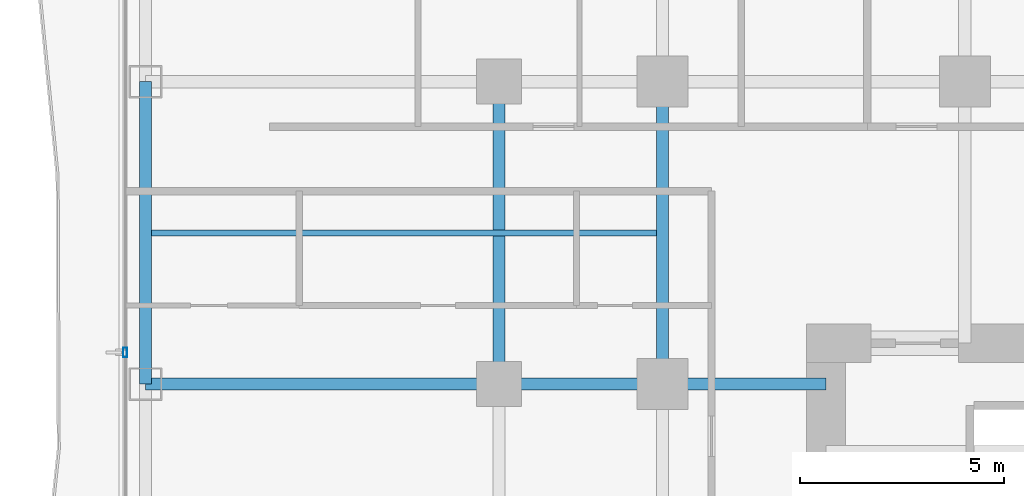
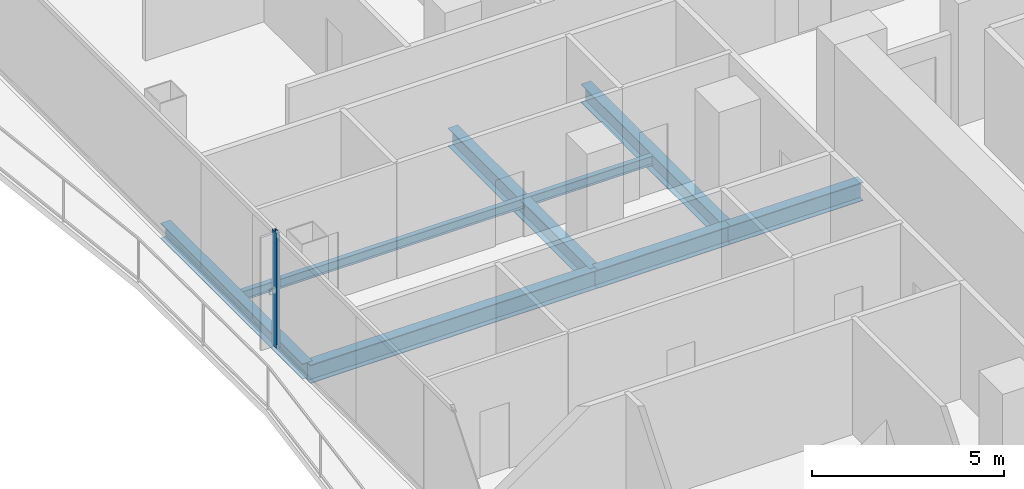
# One storey, part 6 of 28: 7 beams, 1 member, 1 element without a shape of its own.
"""IFC4 building model written with IfcOpenShell, lengths in metres."""

from ifc_helpers import new_model, si_unit, direction, frame, origin, origin_2d, place, context, subcontext, project, spatial, hollow_rectangle, i_section, extrude, material, layer, layer_set, material_profile, profile_set, type_object, element, aggregate, save


model = new_model("IFC4")

# Units and contexts
model_context = context("Model", 3, precision=1e-05, world=origin(), true_north=direction((0.0, 1.0)))
body_context = subcontext(model_context, "Body", "Model", "MODEL_VIEW")
ifc_project = project(units=[si_unit("LENGTHUNIT", "METRE"), si_unit("AREAUNIT", "SQUARE_METRE"), si_unit("VOLUMEUNIT", "CUBIC_METRE"), si_unit("PLANEANGLEUNIT", "RADIAN"), si_unit("MASSUNIT", "GRAM", prefix="KILO")], contexts=[model_context])

# Site, building, storey
site_placement = place(None, origin())
site = spatial("IfcSite", under=ifc_project, at=site_placement, CompositionType="ELEMENT")
building_placement = place(site_placement, origin())
building = spatial("IfcBuilding", under=site, at=building_placement, Name="Khorvyn Point Tower", CompositionType="ELEMENT")
storey_placement = place(building_placement, frame((0.0, 0.0, 89.10009765625)))
storey = spatial("IfcBuildingStorey", under=building, at=storey_placement, Name="L22", CompositionType="ELEMENT", Elevation=89.10009765625)

# Curtain wall, member
ifc_material_1 = material(Name="Anodised aluminium 6063-T6 and laminated Low-E glass", Category="aluminium")
ifc_layer = layer(ifc_material_1, 0.18994140625)
ifc_layer_set = layer_set([ifc_layer], Name="Stick-Built Finned Residential Curtain Wall CW-SYS-02")
curtain_wall_type = type_object("IfcCurtainWallType", Name="Stick-Built Finned Residential Curtain Wall CW-SYS-02", PredefinedType="NOTDEFINED", material=ifc_layer_set)
curtain_wall_placement = place(storey_placement, origin())
curtain_wall = element("IfcCurtainWall", 1, at=curtain_wall_placement, inside=storey, type_object=curtain_wall_type, Name="Curtain Wall", PredefinedType="NOTDEFINED")
ifc_material_2 = material(Name="Anodised aluminium 6063-T6", Category="aluminium")
ifc_material_profile_1 = material_profile(ifc_material_2, hollow_rectangle(XDim=0.10009765625, YDim=0.239990234375, WallThickness=0.0048828125, at=origin_2d()))
ifc_profile_set_1 = profile_set([ifc_material_profile_1], Name="Anodised aluminium 6063-T6 ALU-MUL-100x240")
member_type = type_object("IfcMemberType", Name="Anodised Aluminium 6063-T6 Mullion ALU-MUL-100x240", PredefinedType="MULLION", material=ifc_profile_set_1)
member_placement = place(storey_placement, frame((-27.949951171875, 8.175048828125, 0.0), z_axis=(0.0, 0.0, 1.0), x_axis=(-1.0, 0.0, 0.0)))
member = element("IfcMember", 2, at=member_placement, type_object=member_type, Name="Transom", PredefinedType="MULLION", context=body_context, shape_type="SweptSolid", body=[
    extrude(hollow_rectangle(XDim=0.10009765625, YDim=0.239990234375, WallThickness=0.0048828125, at=origin_2d()), origin(), (0.0, 0.0, 1.0), 3.679931640625),
])
aggregate(curtain_wall, [member])

# Beams
ifc_material_3 = material(Name="Steel S355", Category="steel")
ifc_material_profile_2 = material_profile(ifc_material_3, i_section(OverallWidth=0.300048828125, OverallDepth=0.587890625, WebThickness=0.011962890625, FlangeThickness=0.02001953125, at=origin_2d()))
ifc_profile_set_2 = profile_set([ifc_material_profile_2], Name="Steel S355 H588x300x12x20")
beam_type_1 = type_object("IfcBeamType", Name="Steel S355 Beam H588x300x12x20", PredefinedType="BEAM", material=ifc_profile_set_2)
beam_1_placement = place(storey_placement, frame((-27.449951171875, 7.39990234375, -0.51416015625), z_axis=(1.0, 0.0, 0.0), x_axis=(0.0, 1.0, 0.0)))
element("IfcBeam", 3, at=beam_1_placement, inside=storey, type_object=beam_type_1, Name="Beam", PredefinedType="BEAM", context=body_context, shape_type="SweptSolid", body=[
    extrude(i_section(OverallWidth=0.300048828125, OverallDepth=0.587890625, WebThickness=0.011962890625, FlangeThickness=0.02001953125, at=origin_2d()), origin(), (0.0, 0.0, 1.0), 8.64990234375),
])
for number, where, z_axis, x_axis, name in (
    (4, (-18.800048828125, 7.39990234375, -0.51416015625), (1.0, 0.0, 0.0), (0.0, 1.0, 0.0), "Beam"),
    (5, (-14.800048828125, 7.39990234375, -0.51416015625), (1.0, 0.0, 0.0), (0.0, 1.0, 0.0), "Beam"),
):
    element("IfcBeam", number, at=place(storey_placement, frame(where, z_axis=z_axis, x_axis=x_axis)), inside=storey, type_object=beam_type_1, Name=name, PredefinedType="BEAM", context=body_context, shape_type="SweptSolid", body=[
        extrude(i_section(OverallWidth=0.300048828125, OverallDepth=0.587890625, WebThickness=0.011962890625, FlangeThickness=0.02001953125, at=origin_2d()), origin(), (0.0, 0.0, 1.0), 4.0),
    ])
for number, where, z_axis, x_axis, name in (
    (6, (-14.800048828125, 7.39990234375, -0.51416015625), (0.0, 1.0, 0.0), (-1.0, 0.0, 0.0), "Beam"),
    (7, (-18.800048828125, 7.39990234375, -0.51416015625), (0.0, 1.0, 0.0), (-1.0, 0.0, 0.0), "Beam"),
):
    element("IfcBeam", number, at=place(storey_placement, frame(where, z_axis=z_axis, x_axis=x_axis)), inside=storey, type_object=beam_type_1, Name=name, PredefinedType="BEAM", context=body_context, shape_type="SweptSolid", body=[
        extrude(i_section(OverallWidth=0.300048828125, OverallDepth=0.587890625, WebThickness=0.011962890625, FlangeThickness=0.02001953125, at=origin_2d()), origin(), (0.0, 0.0, 1.0), 7.400146484375),
    ])
ifc_material_profile_3 = material_profile(ifc_material_3, i_section(OverallWidth=0.14990234375, OverallDepth=0.300048828125, WebThickness=0.006591796875, FlangeThickness=0.009033203125, at=origin_2d()))
ifc_profile_set_3 = profile_set([ifc_material_profile_3], Name="Steel S355 H300x150x6.5x9")
beam_type_2 = type_object("IfcBeamType", Name="Steel S355 Joist H300x150x6.5x9", PredefinedType="JOIST", material=ifc_profile_set_3)
beam_2_placement = place(storey_placement, frame((-27.300048828125, 11.10009765625, -0.3701171875), z_axis=(1.0, 0.0, 0.0), x_axis=(0.0, 1.0, 0.0)))
element("IfcBeam", 8, at=beam_2_placement, inside=storey, type_object=beam_type_2, Name="Beam", PredefinedType="JOIST", context=body_context, shape_type="SweptSolid", body=[
    extrude(i_section(OverallWidth=0.14990234375, OverallDepth=0.300048828125, WebThickness=0.006591796875, FlangeThickness=0.009033203125, at=origin_2d()), origin(), (0.0, 0.0, 1.0), 12.35009765625),
])
ifc_material_profile_4 = material_profile(ifc_material_3, i_section(OverallWidth=0.300048828125, OverallDepth=0.488037109375, WebThickness=0.010986328125, FlangeThickness=0.01806640625, at=origin_2d()))
ifc_profile_set_4 = profile_set([ifc_material_profile_4], Name="Steel S355 H488x300x11x18")
beam_type_3 = type_object("IfcBeamType", Name="Steel S355 Spandrel H488x300x11x18", PredefinedType="SPANDREL", material=ifc_profile_set_4)
beam_3_placement = place(storey_placement, frame((-27.449951171875, 7.39990234375, -0.464111328125), z_axis=(0.0, 1.0, 0.0), x_axis=(-1.0, 0.0, 0.0)))
element("IfcBeam", 9, at=beam_3_placement, inside=storey, type_object=beam_type_3, Name="Beam", PredefinedType="SPANDREL", context=body_context, shape_type="SweptSolid", body=[
    extrude(i_section(OverallWidth=0.300048828125, OverallDepth=0.488037109375, WebThickness=0.010986328125, FlangeThickness=0.01806640625, at=origin_2d()), origin(), (0.0, 0.0, 1.0), 7.400146484375),
])

save(model, "model.ifc")
